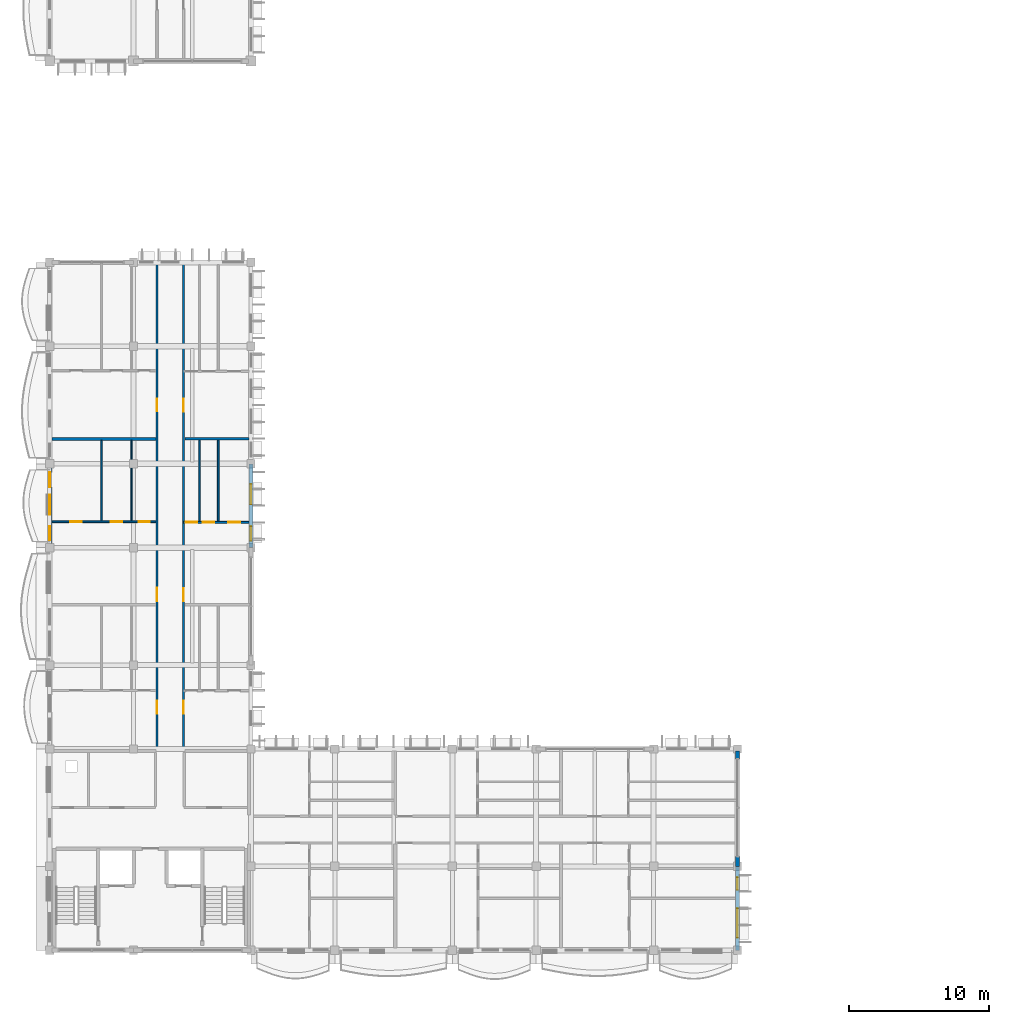
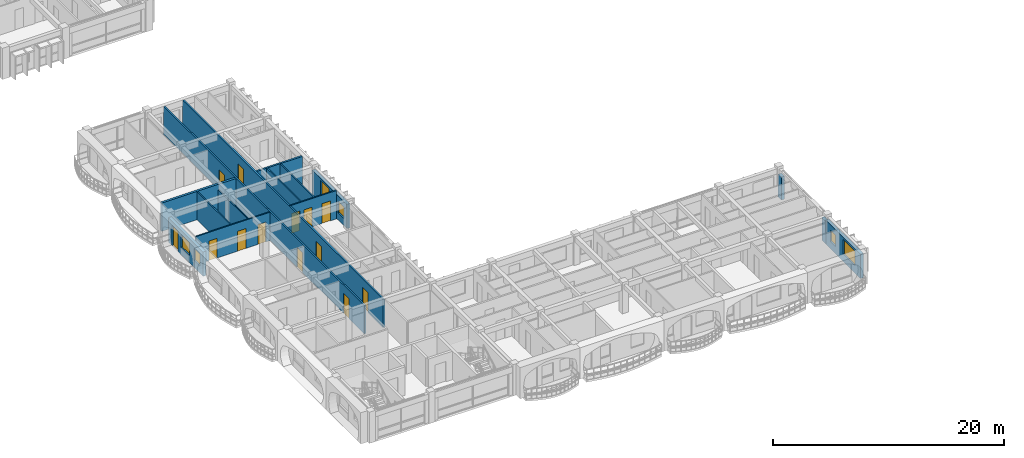
# One storey, part 27 of 76: 15 walls, 13 doors, 6 windows, 19 openings.
"""IFC4 building model written with IfcOpenShell, lengths in metres."""

from ifc_helpers import new_model, si_unit, direction, frame, frame_2d, origin, place, context, subcontext, project, spatial, rectangle, extrude, material, layer, layer_set, type_object, element, fill, save


model = new_model("IFC4")

# Units and contexts
model_context = context("Model", 3, precision=1e-05, world=origin(), true_north=direction((0.0, 1.0)))
body_context = subcontext(model_context, "Body", "Model", "MODEL_VIEW")
ifc_project = project(units=[si_unit("LENGTHUNIT", "METRE"), si_unit("AREAUNIT", "SQUARE_METRE"), si_unit("VOLUMEUNIT", "CUBIC_METRE"), si_unit("PLANEANGLEUNIT", "RADIAN"), si_unit("MASSUNIT", "GRAM", prefix="KILO"), si_unit("THERMODYNAMICTEMPERATUREUNIT", "KELVIN")], contexts=[model_context])

# Site, building, storey
site_placement = place(None, origin())
site = spatial("IfcSite", under=ifc_project, at=site_placement, CompositionType="ELEMENT")
building_placement = place(site_placement, origin())
building = spatial("IfcBuilding", under=site, at=building_placement, Name="Thalorik Housing Commons", CompositionType="ELEMENT")
storey_placement = place(building_placement, frame((0.0, 0.0, 18.0)))
storey = spatial("IfcBuildingStorey", under=building, at=storey_placement, Name="L05", CompositionType="ELEMENT", Elevation=18.0)

# Wall, openings, doors
ifc_material_1 = material(Name="Masonry fire-rated corridor wall", Category="masonry")
ifc_layer_1 = layer(ifc_material_1, 0.14990234375, Name="Masonry fire-rated corridor wall", Category="masonry")
ifc_layer_set_1 = layer_set([ifc_layer_1], Name="Masonry fire-rated corridor wall")
wall_type_1 = type_object("IfcWallType", Name="ARC-WAL-CORR-150", PredefinedType="PARTITIONING", material=ifc_layer_set_1)
wall_1_placement = place(storey_placement, frame((16.080078125, 22.659912109375, 0.0), z_axis=(0.0, 0.0, 1.0), x_axis=(0.0, 1.0, 0.0)))
wall_1 = element("IfcWall", 1, at=wall_1_placement, inside=storey, type_object=wall_type_1, Name="L05 Block C W Corridor Wall 1", PredefinedType="PARTITIONING", context=body_context, shape_type="SweptSolid", body=[
    extrude(rectangle(XDim=34.78564453125, YDim=0.14990234375, at=frame_2d((17.392822265625, 0.0))), origin(), (0.0, 0.0, 1.0), 3.0),
])
opening_1_placement = place(wall_1_placement, frame((2.671630859375, 0.0, 0.0)))
opening_1 = element("IfcOpeningElement", 2, at=opening_1_placement, cuts=wall_1, Name="Opening ID-1764", PredefinedType="OPENING", context=body_context, shape_type="SweptSolid", body=[
    extrude(rectangle(XDim=0.919921875, YDim=2.10009765625, at=frame_2d((0.4599609375, 1.050048828125))), frame((0.0, 0.0849609375, 0.0), z_axis=(0.0, -1.0, 0.0), x_axis=(1.0, 0.0, 0.0)), (0.0, 0.0, 1.0), 0.169921875),
])
opening_2_placement = place(wall_1_placement, frame((10.7099609375, 0.0, 0.0)))
opening_2 = element("IfcOpeningElement", 3, at=opening_2_placement, cuts=wall_1, Name="Opening ID-1765", PredefinedType="OPENING", context=body_context, shape_type="SweptSolid", body=[
    extrude(rectangle(XDim=0.9599609375, YDim=2.1201171875, at=frame_2d((0.47998046875, 1.06005859375))), frame((0.0, 0.0849609375, 0.0), z_axis=(0.0, -1.0, 0.0), x_axis=(1.0, 0.0, 0.0)), (0.0, 0.0, 1.0), 0.169921875),
])
opening_3_placement = place(wall_1_placement, frame((24.280029296875, 0.0, 0.0)))
opening_3 = element("IfcOpeningElement", 4, at=opening_3_placement, cuts=wall_1, Name="Opening ID-1766", PredefinedType="OPENING", context=body_context, shape_type="SweptSolid", body=[
    extrude(rectangle(XDim=0.919921875, YDim=2.10009765625, at=frame_2d((0.4599609375, 1.050048828125))), frame((0.0, 0.0849609375, 0.0), z_axis=(0.0, -1.0, 0.0), x_axis=(1.0, 0.0, 0.0)), (0.0, 0.0, 1.0), 0.169921875),
])
ifc_material_2 = material(Name="Solid core hardwood timber", Category="wood")
door_type_1 = type_object("IfcDoorType", Name="ARC-DR-FD30-920", OperationType="NOTDEFINED", PredefinedType="DOOR", material=ifc_material_2)
door_1_placement = place(opening_1_placement, origin())
door_1 = element("IfcDoor", 5, at=door_1_placement, inside=storey, type_object=door_type_1, Name="L05 Flat CW-1A Entrance Door", OperationType="SINGLE_SWING_LEFT", OverallHeight=2.10009765625, OverallWidth=0.919921875, PredefinedType="DOOR", context=body_context, shape_type="SweptSolid", body=[
    extrude(rectangle(XDim=0.919921875, YDim=2.10009765625, at=frame_2d((0.4599609375, 1.050048828125))), frame((0.0, 0.02490234375, 0.0), z_axis=(0.0, -1.0, 0.0), x_axis=(1.0, 0.0, 0.0)), (0.0, 0.0, 1.0), 0.050048828125),
])
fill(opening_1, door_1)
door_2_placement = place(opening_3_placement, origin())
door_2 = element("IfcDoor", 6, at=door_2_placement, inside=storey, type_object=door_type_1, Name="L05 Flat CW-3A Entrance Door", OperationType="SINGLE_SWING_LEFT", OverallHeight=2.10009765625, OverallWidth=0.919921875, PredefinedType="DOOR", context=body_context, shape_type="SweptSolid", body=[
    extrude(rectangle(XDim=0.919921875, YDim=2.10009765625, at=frame_2d((0.4599609375, 1.050048828125))), frame((0.0, 0.02490234375, 0.0), z_axis=(0.0, -1.0, 0.0), x_axis=(1.0, 0.0, 0.0)), (0.0, 0.0, 1.0), 0.050048828125),
])
fill(opening_3, door_2)
door_type_2 = type_object("IfcDoorType", Name="ARC-DR-FD30-960", OperationType="NOTDEFINED", PredefinedType="DOOR", material=ifc_material_2)
door_3_placement = place(opening_2_placement, origin())
door_3 = element("IfcDoor", 7, at=door_3_placement, inside=storey, type_object=door_type_2, Name="L05 Flat CW-2A Entrance Door", OperationType="SINGLE_SWING_RIGHT", OverallHeight=2.1201171875, OverallWidth=0.9599609375, PredefinedType="DOOR", context=body_context, shape_type="SweptSolid", body=[
    extrude(rectangle(XDim=0.9599609375, YDim=2.1201171875, at=frame_2d((0.47998046875, 1.06005859375))), frame((0.0, 0.02490234375, 0.0), z_axis=(0.0, -1.0, 0.0), x_axis=(1.0, 0.0, 0.0)), (0.0, 0.0, 1.0), 0.050048828125),
])
fill(opening_2, door_3)

ifc_layer_2 = layer(ifc_material_1, 0.1650390625, Name="Masonry fire-rated corridor wall", Category="masonry")
ifc_layer_set_2 = layer_set([ifc_layer_2], Name="Masonry fire-rated corridor wall")
wall_type_2 = type_object("IfcWallType", Name="ARC-WAL-CORR-165", PredefinedType="PARTITIONING", material=ifc_layer_set_2)
wall_2_placement = place(storey_placement, frame((17.97998046875, 22.659912109375, 0.0), z_axis=(0.0, 0.0, 1.0), x_axis=(0.0, 1.0, 0.0)))
wall_2 = element("IfcWall", 8, at=wall_2_placement, inside=storey, type_object=wall_type_2, Name="L05 Block C W Corridor Wall 2", PredefinedType="PARTITIONING", context=body_context, shape_type="SweptSolid", body=[
    extrude(rectangle(XDim=34.78564453125, YDim=0.1650390625, at=frame_2d((17.392822265625, 0.0))), origin(), (0.0, 0.0, 1.0), 3.0),
])
opening_4_placement = place(wall_2_placement, frame((2.663818359375, 0.0, 0.0)))
opening_4 = element("IfcOpeningElement", 9, at=opening_4_placement, cuts=wall_2, Name="Opening ID-1767", PredefinedType="OPENING", context=body_context, shape_type="SweptSolid", body=[
    extrude(rectangle(XDim=0.919921875, YDim=2.10009765625, at=frame_2d((0.4599609375, 1.050048828125))), frame((0.0, 0.092529296875, 0.0), z_axis=(0.0, -1.0, 0.0), x_axis=(1.0, 0.0, 0.0)), (0.0, 0.0, 1.0), 0.18505859375),
])
opening_5_placement = place(wall_2_placement, frame((10.7099609375, 0.0, 0.0)))
opening_5 = element("IfcOpeningElement", 10, at=opening_5_placement, cuts=wall_2, Name="Opening ID-1768", PredefinedType="OPENING", context=body_context, shape_type="SweptSolid", body=[
    extrude(rectangle(XDim=0.919921875, YDim=2.10009765625, at=frame_2d((0.4599609375, 1.050048828125))), frame((0.0, 0.092529296875, 0.0), z_axis=(0.0, -1.0, 0.0), x_axis=(1.0, 0.0, 0.0)), (0.0, 0.0, 1.0), 0.18505859375),
])
opening_6_placement = place(wall_2_placement, frame((24.25439453125, 0.0, 0.0)))
opening_6 = element("IfcOpeningElement", 11, at=opening_6_placement, cuts=wall_2, Name="Opening ID-1769", PredefinedType="OPENING", context=body_context, shape_type="SweptSolid", body=[
    extrude(rectangle(XDim=0.919921875, YDim=2.10009765625, at=frame_2d((0.4599609375, 1.050048828125))), frame((0.0, 0.092529296875, 0.0), z_axis=(0.0, -1.0, 0.0), x_axis=(1.0, 0.0, 0.0)), (0.0, 0.0, 1.0), 0.18505859375),
])
door_4_placement = place(opening_4_placement, origin())
door_4 = element("IfcDoor", 12, at=door_4_placement, inside=storey, type_object=door_type_1, Name="L05 Flat CW-1B Entrance Door", OperationType="SINGLE_SWING_RIGHT", OverallHeight=2.10009765625, OverallWidth=0.919921875, PredefinedType="DOOR", context=body_context, shape_type="SweptSolid", body=[
    extrude(rectangle(XDim=0.919921875, YDim=2.10009765625, at=frame_2d((0.4599609375, 1.050048828125))), frame((0.0, 0.02490234375, 0.0), z_axis=(0.0, -1.0, 0.0), x_axis=(1.0, 0.0, 0.0)), (0.0, 0.0, 1.0), 0.050048828125),
])
fill(opening_4, door_4)
door_5_placement = place(opening_5_placement, origin())
door_5 = element("IfcDoor", 13, at=door_5_placement, inside=storey, type_object=door_type_1, Name="L05 Flat CW-2B Entrance Door", OperationType="SINGLE_SWING_LEFT", OverallHeight=2.10009765625, OverallWidth=0.919921875, PredefinedType="DOOR", context=body_context, shape_type="SweptSolid", body=[
    extrude(rectangle(XDim=0.919921875, YDim=2.10009765625, at=frame_2d((0.4599609375, 1.050048828125))), frame((0.0, 0.02490234375, 0.0), z_axis=(0.0, -1.0, 0.0), x_axis=(1.0, 0.0, 0.0)), (0.0, 0.0, 1.0), 0.050048828125),
])
fill(opening_5, door_5)
door_6_placement = place(opening_6_placement, origin())
door_6 = element("IfcDoor", 14, at=door_6_placement, inside=storey, type_object=door_type_1, Name="L05 Flat CW-3B Entrance Door", OperationType="SINGLE_SWING_RIGHT", OverallHeight=2.10009765625, OverallWidth=0.919921875, PredefinedType="DOOR", context=body_context, shape_type="SweptSolid", body=[
    extrude(rectangle(XDim=0.919921875, YDim=2.10009765625, at=frame_2d((0.4599609375, 1.050048828125))), frame((0.0, 0.02490234375, 0.0), z_axis=(0.0, -1.0, 0.0), x_axis=(1.0, 0.0, 0.0)), (0.0, 0.0, 1.0), 0.050048828125),
])
fill(opening_6, door_6)

# Wall, openings, windows
ifc_material_3 = material(Name="White precast concrete C40/50", Category="concrete")
ifc_layer_3 = layer(ifc_material_3, 0.304931640625, Name="White precast concrete C40/50", Category="concrete")
ifc_layer_set_3 = layer_set([ifc_layer_3], Name="White precast concrete C40/50")
wall_type_3 = type_object("IfcWallType", Name="ARC-WAL-EXT-305", PredefinedType="STANDARD", material=ifc_layer_set_3)
wall_3_placement = place(storey_placement, frame((22.800048828125, 37.199951171875, 0.0), z_axis=(0.0, 0.0, 1.0), x_axis=(0.0, 1.0, 0.0)))
wall_3 = element("IfcWall", 15, at=wall_3_placement, inside=storey, type_object=wall_type_3, Name="L05 Exterior Wall WAL-EXT-L05-C-0963", PredefinedType="STANDARD", context=body_context, shape_type="SweptSolid", body=[
    extrude(rectangle(XDim=6.0, YDim=0.304931640625, at=frame_2d((3.0, 0.0))), origin(), (0.0, 0.0, 1.0), 2.574951171875),
])
opening_7_placement = place(wall_3_placement, frame((0.476318359375, 0.0, 0.780029296875)))
opening_7 = element("IfcOpeningElement", 16, at=opening_7_placement, cuts=wall_3, Name="Opening W-44", PredefinedType="OPENING", context=body_context, shape_type="SweptSolid", body=[
    extrude(rectangle(XDim=1.050048828125, YDim=1.199951171875, at=frame_2d((0.52490234375, 0.60009765625))), frame((0.0, 0.16259765625, 0.0), z_axis=(0.0, -1.0, 0.0), x_axis=(1.0, 0.0, 0.0)), (0.0, 0.0, 1.0), 0.324951171875),
])
opening_8_placement = place(wall_3_placement, frame((3.08642578125, 0.0, 0.780029296875)))
opening_8 = element("IfcOpeningElement", 17, at=opening_8_placement, cuts=wall_3, Name="Opening W-09", PredefinedType="OPENING", context=body_context, shape_type="SweptSolid", body=[
    extrude(rectangle(XDim=1.449951171875, YDim=1.60009765625, at=frame_2d((0.72509765625, 0.800048828125))), frame((0.0, 0.16259765625, 0.0), z_axis=(0.0, -1.0, 0.0), x_axis=(1.0, 0.0, 0.0)), (0.0, 0.0, 1.0), 0.324951171875),
])
ifc_material_4 = material(Name="Anodised aluminium and solar-control low-E glass", Category="aluminium")
window_type_1 = type_object("IfcWindowType", Name="ARC-WIN-09", PartitioningType="SINGLE_PANEL", PredefinedType="WINDOW", material=ifc_material_4)
window_1_placement = place(opening_8_placement, origin())
window_1 = element("IfcWindow", 18, at=window_1_placement, inside=storey, type_object=window_type_1, Name="L05 Facade Window 1781", OverallHeight=1.60009765625, OverallWidth=1.449951171875, PartitioningType="SINGLE_PANEL", PredefinedType="WINDOW", context=body_context, shape_type="SweptSolid", body=[
    extrude(rectangle(XDim=1.449951171875, YDim=1.60009765625, at=frame_2d((0.72509765625, 0.800048828125))), frame((0.0, 0.030029296875, 0.0), z_axis=(0.0, -1.0, 0.0), x_axis=(1.0, 0.0, 0.0)), (0.0, 0.0, 1.0), 0.06005859375),
])
fill(opening_8, window_1)
window_type_2 = type_object("IfcWindowType", Name="ARC-WIN-44", PartitioningType="SINGLE_PANEL", PredefinedType="WINDOW", material=ifc_material_4)
window_2_placement = place(opening_7_placement, origin())
window_2 = element("IfcWindow", 19, at=window_2_placement, inside=storey, type_object=window_type_2, Name="L05 Facade Window 1780", OverallHeight=1.199951171875, OverallWidth=1.050048828125, PartitioningType="SINGLE_PANEL", PredefinedType="WINDOW", context=body_context, shape_type="SweptSolid", body=[
    extrude(rectangle(XDim=1.050048828125, YDim=1.199951171875, at=frame_2d((0.52490234375, 0.60009765625))), frame((0.0, 0.030029296875, 0.0), z_axis=(0.0, -1.0, 0.0), x_axis=(1.0, 0.0, 0.0)), (0.0, 0.0, 1.0), 0.06005859375),
])
fill(opening_7, window_2)

# Wall, openings, door, windows
wall_4_placement = place(storey_placement, frame((8.39990234375, 43.199951171875, 0.0), z_axis=(0.0, 0.0, 1.0), x_axis=(0.0, -1.0, 0.0)))
wall_4 = element("IfcWall", 20, at=wall_4_placement, inside=storey, type_object=wall_type_3, Name="L05 Exterior Wall WAL-EXT-L05-C-0970", PredefinedType="STANDARD", context=body_context, shape_type="SweptSolid", body=[
    extrude(rectangle(XDim=6.0, YDim=0.304931640625, at=frame_2d((3.0, 0.0))), origin(), (0.0, 0.0, 1.0), 2.574951171875),
])
opening_9_placement = place(wall_4_placement, frame((0.6201171875, 0.0, 0.0)))
opening_9 = element("IfcOpeningElement", 21, at=opening_9_placement, cuts=wall_4, Name="Opening ED-0320", PredefinedType="OPENING", context=body_context, shape_type="SweptSolid", body=[
    extrude(rectangle(XDim=1.050048828125, YDim=2.14990234375, at=frame_2d((0.52490234375, 1.074951171875))), frame((0.0, 0.16259765625, 0.0), z_axis=(0.0, -1.0, 0.0), x_axis=(1.0, 0.0, 0.0)), (0.0, 0.0, 1.0), 0.324951171875),
])
opening_10_placement = place(wall_4_placement, frame((2.22509765625, 0.0, 0.780029296875)))
opening_10 = element("IfcOpeningElement", 22, at=opening_10_placement, cuts=wall_4, Name="Opening W-50", PredefinedType="OPENING", context=body_context, shape_type="SweptSolid", body=[
    extrude(rectangle(XDim=1.419921875, YDim=1.3798828125, at=frame_2d((0.7099609375, 0.68994140625))), frame((0.0, 0.16259765625, 0.0), z_axis=(0.0, -1.0, 0.0), x_axis=(1.0, 0.0, 0.0)), (0.0, 0.0, 1.0), 0.324951171875),
])
opening_11_placement = place(wall_4_placement, frame((4.47998046875, 0.0, 0.780029296875)))
opening_11 = element("IfcOpeningElement", 23, at=opening_11_placement, cuts=wall_4, Name="Opening W-02", PredefinedType="OPENING", context=body_context, shape_type="SweptSolid", body=[
    extrude(rectangle(XDim=1.0, YDim=1.25, at=frame_2d((0.5, 0.625))), frame((0.0, 0.16259765625, 0.0), z_axis=(0.0, -1.0, 0.0), x_axis=(1.0, 0.0, 0.0)), (0.0, 0.0, 1.0), 0.324951171875),
])
ifc_material_5 = material(Name="Anodised aluminium and laminated safety glass", Category="aluminium")
door_type_3 = type_object("IfcDoorType", Name="ARC-DR-BAL-1050", OperationType="NOTDEFINED", PredefinedType="DOOR", material=ifc_material_5)
door_7_placement = place(opening_9_placement, frame((1.050048828125, 0.0, 0.0), z_axis=(0.0, 0.0, 1.0), x_axis=(-1.0, 0.0, 0.0)))
door_7 = element("IfcDoor", 24, at=door_7_placement, inside=storey, type_object=door_type_3, Name="L05 Block C Balcony Glazed Door", OperationType="SINGLE_SWING_LEFT", OverallHeight=2.14990234375, OverallWidth=1.050048828125, PredefinedType="DOOR", context=body_context, shape_type="SweptSolid", body=[
    extrude(rectangle(XDim=1.050048828125, YDim=2.14990234375, at=frame_2d((0.52490234375, 1.074951171875))), frame((0.0, 0.02490234375, 0.0), z_axis=(0.0, -1.0, 0.0), x_axis=(1.0, 0.0, 0.0)), (0.0, 0.0, 1.0), 0.050048828125),
])
fill(opening_9, door_7)
window_type_3 = type_object("IfcWindowType", Name="ARC-WIN-02", PartitioningType="SINGLE_PANEL", PredefinedType="WINDOW", material=ifc_material_4)
window_3_placement = place(opening_11_placement, origin())
window_3 = element("IfcWindow", 25, at=window_3_placement, inside=storey, type_object=window_type_3, Name="L05 Facade Window 1796", OverallHeight=1.25, OverallWidth=1.0, PartitioningType="SINGLE_PANEL", PredefinedType="WINDOW", context=body_context, shape_type="SweptSolid", body=[
    extrude(rectangle(XDim=1.0, YDim=1.25, at=frame_2d((0.5, 0.625))), frame((0.0, 0.030029296875, 0.0), z_axis=(0.0, -1.0, 0.0), x_axis=(1.0, 0.0, 0.0)), (0.0, 0.0, 1.0), 0.06005859375),
])
fill(opening_11, window_3)
window_type_4 = type_object("IfcWindowType", Name="ARC-WIN-50", PartitioningType="SINGLE_PANEL", PredefinedType="WINDOW", material=ifc_material_4)
window_4_placement = place(opening_10_placement, origin())
window_4 = element("IfcWindow", 26, at=window_4_placement, inside=storey, type_object=window_type_4, Name="L05 Facade Window 1795", OverallHeight=1.3798828125, OverallWidth=1.419921875, PartitioningType="SINGLE_PANEL", PredefinedType="WINDOW", context=body_context, shape_type="SweptSolid", body=[
    extrude(rectangle(XDim=1.419921875, YDim=1.3798828125, at=frame_2d((0.7099609375, 0.68994140625))), frame((0.0, 0.030029296875, 0.0), z_axis=(0.0, -1.0, 0.0), x_axis=(1.0, 0.0, 0.0)), (0.0, 0.0, 1.0), 0.06005859375),
])
fill(opening_10, window_4)

# Wall, openings, windows
wall_5_placement = place(storey_placement, frame((57.60009765625, 8.39990234375, 0.0), z_axis=(0.0, 0.0, 1.0), x_axis=(0.0, 1.0, 0.0)))
wall_5 = element("IfcWall", 27, at=wall_5_placement, inside=storey, type_object=wall_type_3, Name="L05 Exterior Wall WAL-EXT-L05-C-0982", PredefinedType="STANDARD", context=body_context, shape_type="SweptSolid", body=[
    extrude(rectangle(XDim=6.0, YDim=0.304931640625, at=frame_2d((3.0, 0.0))), origin(), (0.0, 0.0, 1.0), 2.574951171875),
])
opening_12_placement = place(wall_5_placement, frame((0.90380859375, 0.0, 0.780029296875)))
opening_12 = element("IfcOpeningElement", 28, at=opening_12_placement, cuts=wall_5, Name="Opening W-26", PredefinedType="OPENING", context=body_context, shape_type="SweptSolid", body=[
    extrude(rectangle(XDim=2.10009765625, YDim=1.550048828125, at=frame_2d((1.050048828125, 0.77490234375))), frame((0.0, 0.16259765625, 0.0), z_axis=(0.0, -1.0, 0.0), x_axis=(1.0, 0.0, 0.0)), (0.0, 0.0, 1.0), 0.324951171875),
])
opening_13_placement = place(wall_5_placement, frame((4.313720703125, 0.0, 0.780029296875)))
opening_13 = element("IfcOpeningElement", 29, at=opening_13_placement, cuts=wall_5, Name="Opening W-01", PredefinedType="OPENING", context=body_context, shape_type="SweptSolid", body=[
    extrude(rectangle(XDim=0.89990234375, YDim=1.199951171875, at=frame_2d((0.449951171875, 0.60009765625))), frame((0.0, 0.16259765625, 0.0), z_axis=(0.0, -1.0, 0.0), x_axis=(1.0, 0.0, 0.0)), (0.0, 0.0, 1.0), 0.324951171875),
])
window_type_5 = type_object("IfcWindowType", Name="ARC-WIN-01", PartitioningType="SINGLE_PANEL", PredefinedType="WINDOW", material=ifc_material_4)
window_5_placement = place(opening_13_placement, origin())
window_5 = element("IfcWindow", 30, at=window_5_placement, inside=storey, type_object=window_type_5, Name="L05 Facade Window 1816", OverallHeight=1.199951171875, OverallWidth=0.89990234375, PartitioningType="SINGLE_PANEL", PredefinedType="WINDOW", context=body_context, shape_type="SweptSolid", body=[
    extrude(rectangle(XDim=0.89990234375, YDim=1.199951171875, at=frame_2d((0.449951171875, 0.60009765625))), frame((0.0, 0.030029296875, 0.0), z_axis=(0.0, -1.0, 0.0), x_axis=(1.0, 0.0, 0.0)), (0.0, 0.0, 1.0), 0.06005859375),
])
fill(opening_13, window_5)
window_type_6 = type_object("IfcWindowType", Name="ARC-WIN-26", PartitioningType="DOUBLE_PANEL_VERTICAL", PredefinedType="WINDOW", material=ifc_material_4)
window_6_placement = place(opening_12_placement, origin())
window_6 = element("IfcWindow", 31, at=window_6_placement, inside=storey, type_object=window_type_6, Name="L05 Facade Window 1815", OverallHeight=1.550048828125, OverallWidth=2.10009765625, PartitioningType="DOUBLE_PANEL_VERTICAL", PredefinedType="WINDOW", context=body_context, shape_type="SweptSolid", body=[
    extrude(rectangle(XDim=2.10009765625, YDim=1.550048828125, at=frame_2d((1.050048828125, 0.77490234375))), frame((0.0, 0.030029296875, 0.0), z_axis=(0.0, -1.0, 0.0), x_axis=(1.0, 0.0, 0.0)), (0.0, 0.0, 1.0), 0.06005859375),
])
fill(opening_12, window_6)

# Walls
wall_6_placement = place(storey_placement, frame((57.60009765625, 14.39990234375, 0.0), z_axis=(0.0, 0.0, 1.0), x_axis=(0.0, 1.0, 0.0)))
element("IfcWall", 32, at=wall_6_placement, inside=storey, type_object=wall_type_3, Name="L05 Exterior Wall WAL-PIERL-L05-C-0983", PredefinedType="STANDARD", context=body_context, shape_type="SweptSolid", body=[
    extrude(rectangle(XDim=0.7001953125, YDim=0.304931640625, at=frame_2d((0.35009765625, 0.0))), origin(), (0.0, 0.0, 1.0), 2.425048828125),
])
wall_7_placement = place(storey_placement, frame((57.60009765625, 22.10009765625, 0.0), z_axis=(0.0, 0.0, 1.0), x_axis=(0.0, 1.0, 0.0)))
element("IfcWall", 33, at=wall_7_placement, inside=storey, type_object=wall_type_3, Name="L05 Exterior Wall WAL-PIERR-L05-C-0983", PredefinedType="STANDARD", context=body_context, shape_type="SweptSolid", body=[
    extrude(rectangle(XDim=0.54541015625, YDim=0.304931640625, at=frame_2d((0.272705078125, 0.0))), origin(), (0.0, 0.0, 1.0), 2.425048828125),
])
ifc_material_6 = material(Name="Gypsum light stud partition", Category="masonry")
ifc_layer_4 = layer(ifc_material_6, 0.10009765625, Name="Gypsum light stud partition", Category="masonry")
ifc_layer_set_4 = layer_set([ifc_layer_4], Name="Gypsum light stud partition")
wall_type_4 = type_object("IfcWallType", Name="ARC-WAL-PART-100", PredefinedType="PARTITIONING", material=ifc_layer_set_4)
wall_8_placement = place(storey_placement, frame((14.251220703125, 39.114501953125, 0.0), z_axis=(0.0, 0.0, 1.0), x_axis=(0.0, 1.0, 0.0)))
element("IfcWall", 34, at=wall_8_placement, inside=storey, type_object=wall_type_4, Name="L05 Unit 2 Wet Wall", PredefinedType="PARTITIONING", context=body_context, shape_type="SweptSolid", body=[
    extrude(rectangle(XDim=5.75341796875, YDim=0.10009765625, at=frame_2d((2.876708984375, 0.0))), origin(), (0.0, 0.0, 1.0), 2.425048828125),
])
ifc_material_7 = material(Name="Gypsum moisture-resistant partition", Category="masonry")
ifc_layer_5 = layer(ifc_material_7, 0.114990234375, Name="Gypsum moisture-resistant partition", Category="masonry")
ifc_layer_set_5 = layer_set([ifc_layer_5], Name="Gypsum moisture-resistant partition")
wall_type_5 = type_object("IfcWallType", Name="ARC-WAL-PART-115", PredefinedType="PARTITIONING", material=ifc_layer_set_5)
wall_9_placement = place(storey_placement, frame((12.11767578125, 39.114501953125, 0.0), z_axis=(0.0, 0.0, 1.0), x_axis=(0.0, 1.0, 0.0)))
element("IfcWall", 35, at=wall_9_placement, inside=storey, type_object=wall_type_5, Name="L05 Unit 2 Bedroom Partition", PredefinedType="PARTITIONING", context=body_context, shape_type="SweptSolid", body=[
    extrude(rectangle(XDim=5.75341796875, YDim=0.114990234375, at=frame_2d((2.876708984375, 0.0))), origin(), (0.0, 0.0, 1.0), 3.0),
])
wall_10_placement = place(storey_placement, frame((19.122314453125, 39.084716796875, 0.0), z_axis=(0.0, 0.0, 1.0), x_axis=(0.0, 1.0, 0.0)))
element("IfcWall", 36, at=wall_10_placement, inside=storey, type_object=wall_type_5, Name="L05 Unit 2B Wet Wall", PredefinedType="PARTITIONING", context=body_context, shape_type="SweptSolid", body=[
    extrude(rectangle(XDim=5.80078125, YDim=0.114990234375, at=frame_2d((2.900390625, 0.0))), origin(), (0.0, 0.0, 1.0), 3.0),
])

# Wall, openings, doors
ifc_material_8 = material(Name="Gypsum acoustic stud partition", Category="masonry")
ifc_layer_6 = layer(ifc_material_8, 0.125, Name="Gypsum acoustic stud partition", Category="masonry")
ifc_layer_set_6 = layer_set([ifc_layer_6], Name="Gypsum acoustic stud partition")
wall_type_6 = type_object("IfcWallType", Name="ARC-WAL-PART-125", PredefinedType="PARTITIONING", material=ifc_layer_set_6)
wall_11_placement = place(storey_placement, frame((8.554443359375, 39.050048828125, 0.0), z_axis=(0.0, 0.0, 1.0), x_axis=(1.0, 0.0, 0.0)))
wall_11 = element("IfcWall", 37, at=wall_11_placement, inside=storey, type_object=wall_type_6, Name="L05 Unit 2 Spine Partition", PredefinedType="PARTITIONING", context=body_context, shape_type="SweptSolid", body=[
    extrude(rectangle(XDim=7.448486328125, YDim=0.125, at=frame_2d((3.72412109375, 0.0))), origin(), (0.0, 0.0, 1.0), 3.0),
])
opening_14_placement = place(wall_11_placement, frame((1.309326171875, 0.0, 0.0)))
opening_14 = element("IfcOpeningElement", 38, at=opening_14_placement, cuts=wall_11, Name="Opening ID-1752", PredefinedType="OPENING", context=body_context, shape_type="SweptSolid", body=[
    extrude(rectangle(XDim=0.820068359375, YDim=2.080078125, at=frame_2d((0.41015625, 1.0400390625))), frame((0.0, 0.072509765625, 0.0), z_axis=(0.0, -1.0, 0.0), x_axis=(1.0, 0.0, 0.0)), (0.0, 0.0, 1.0), 0.14501953125),
])
opening_15_placement = place(wall_11_placement, frame((4.204833984375, 0.0, 0.0)))
opening_15 = element("IfcOpeningElement", 39, at=opening_15_placement, cuts=wall_11, Name="Opening ID-1753", PredefinedType="OPENING", context=body_context, shape_type="SweptSolid", body=[
    extrude(rectangle(XDim=0.85009765625, YDim=2.10009765625, at=frame_2d((0.425048828125, 1.050048828125))), frame((0.0, 0.072509765625, 0.0), z_axis=(0.0, -1.0, 0.0), x_axis=(1.0, 0.0, 0.0)), (0.0, 0.0, 1.0), 0.14501953125),
])
opening_16_placement = place(wall_11_placement, frame((6.211181640625, 0.0, 0.0)))
opening_16 = element("IfcOpeningElement", 40, at=opening_16_placement, cuts=wall_11, Name="Opening ID-1754", PredefinedType="OPENING", context=body_context, shape_type="SweptSolid", body=[
    extrude(rectangle(XDim=0.800048828125, YDim=2.10009765625, at=frame_2d((0.39990234375, 1.050048828125))), frame((0.0, 0.072509765625, 0.0), z_axis=(0.0, -1.0, 0.0), x_axis=(1.0, 0.0, 0.0)), (0.0, 0.0, 1.0), 0.14501953125),
])
ifc_material_9 = material(Name="Moisture-resistant timber", Category="wood")
door_type_4 = type_object("IfcDoorType", Name="ARC-DR-INT-800", OperationType="NOTDEFINED", PredefinedType="DOOR", material=ifc_material_9)
door_8_placement = place(opening_16_placement, origin())
door_8 = element("IfcDoor", 41, at=door_8_placement, inside=storey, type_object=door_type_4, Name="L05 Flat Bathroom Door", OperationType="SINGLE_SWING_LEFT", OverallHeight=2.10009765625, OverallWidth=0.800048828125, PredefinedType="DOOR", context=body_context, shape_type="SweptSolid", body=[
    extrude(rectangle(XDim=0.800048828125, YDim=2.10009765625, at=frame_2d((0.39990234375, 1.050048828125))), frame((0.0, 0.02490234375, 0.0), z_axis=(0.0, -1.0, 0.0), x_axis=(1.0, 0.0, 0.0)), (0.0, 0.0, 1.0), 0.050048828125),
])
fill(opening_16, door_8)
ifc_material_10 = material(Name="Engineered oak timber", Category="wood")
door_type_5 = type_object("IfcDoorType", Name="ARC-DR-INT-820", OperationType="NOTDEFINED", PredefinedType="DOOR", material=ifc_material_10)
door_9_placement = place(opening_14_placement, origin())
door_9 = element("IfcDoor", 42, at=door_9_placement, inside=storey, type_object=door_type_5, Name="L05 Master Bedroom Door", OperationType="SINGLE_SWING_LEFT", OverallHeight=2.080078125, OverallWidth=0.820068359375, PredefinedType="DOOR", context=body_context, shape_type="SweptSolid", body=[
    extrude(rectangle(XDim=0.820068359375, YDim=2.080078125, at=frame_2d((0.41015625, 1.0400390625))), frame((0.0, 0.02490234375, 0.0), z_axis=(0.0, -1.0, 0.0), x_axis=(1.0, 0.0, 0.0)), (0.0, 0.0, 1.0), 0.050048828125),
])
fill(opening_14, door_9)
door_type_6 = type_object("IfcDoorType", Name="ARC-DR-INT-850", OperationType="NOTDEFINED", PredefinedType="DOOR", material=ifc_material_10)
door_10_placement = place(opening_15_placement, origin())
door_10 = element("IfcDoor", 43, at=door_10_placement, inside=storey, type_object=door_type_6, Name="L05 Galley Kitchen Door", OperationType="SINGLE_SWING_RIGHT", OverallHeight=2.10009765625, OverallWidth=0.85009765625, PredefinedType="DOOR", context=body_context, shape_type="SweptSolid", body=[
    extrude(rectangle(XDim=0.85009765625, YDim=2.10009765625, at=frame_2d((0.425048828125, 1.050048828125))), frame((0.0, 0.02490234375, 0.0), z_axis=(0.0, -1.0, 0.0), x_axis=(1.0, 0.0, 0.0)), (0.0, 0.0, 1.0), 0.050048828125),
])
fill(opening_15, door_10)

# Wall
wall_12_placement = place(storey_placement, frame((20.455078125, 39.084716796875, 0.0), z_axis=(0.0, 0.0, 1.0), x_axis=(0.0, 1.0, 0.0)))
element("IfcWall", 44, at=wall_12_placement, inside=storey, type_object=wall_type_6, Name="L05 Unit 2B Bedroom Partition", PredefinedType="PARTITIONING", context=body_context, shape_type="SweptSolid", body=[
    extrude(rectangle(XDim=5.80078125, YDim=0.125, at=frame_2d((2.900390625, 0.0))), origin(), (0.0, 0.0, 1.0), 3.0),
])

# Wall, openings, doors
ifc_material_11 = material(Name="Ceramic masonry partition wall", Category="masonry")
ifc_layer_7 = layer(ifc_material_11, 0.139892578125, Name="Ceramic masonry partition wall", Category="masonry")
ifc_layer_set_7 = layer_set([ifc_layer_7], Name="Ceramic masonry partition wall")
wall_type_7 = type_object("IfcWallType", Name="ARC-WAL-PART-140", PredefinedType="PARTITIONING", material=ifc_layer_set_7)
wall_13_placement = place(storey_placement, frame((17.97998046875, 39.0126953125, 0.0), z_axis=(0.0, 0.0, 1.0), x_axis=(1.0, 0.0, 0.0)))
wall_13 = element("IfcWall", 45, at=wall_13_placement, inside=storey, type_object=wall_type_7, Name="L05 Unit 2B Spine Partition", PredefinedType="PARTITIONING", context=body_context, shape_type="SweptSolid", body=[
    extrude(rectangle(XDim=4.66552734375, YDim=0.139892578125, at=frame_2d((2.332763671875, 0.0))), origin(), (0.0, 0.0, 1.0), 3.0),
])
opening_17_placement = place(wall_13_placement, frame((0.171142578125, 0.0, 0.0)))
opening_17 = element("IfcOpeningElement", 46, at=opening_17_placement, cuts=wall_13, Name="Opening ID-1755", PredefinedType="OPENING", context=body_context, shape_type="SweptSolid", body=[
    extrude(rectangle(XDim=0.800048828125, YDim=2.10009765625, at=frame_2d((0.39990234375, 1.050048828125))), frame((0.0, 0.080078125, 0.0), z_axis=(0.0, -1.0, 0.0), x_axis=(1.0, 0.0, 0.0)), (0.0, 0.0, 1.0), 0.159912109375),
])
opening_18_placement = place(wall_13_placement, frame((1.3837890625, 0.0, 0.0)))
opening_18 = element("IfcOpeningElement", 47, at=opening_18_placement, cuts=wall_13, Name="Opening ID-1756", PredefinedType="OPENING", context=body_context, shape_type="SweptSolid", body=[
    extrude(rectangle(XDim=0.820068359375, YDim=2.080078125, at=frame_2d((0.41015625, 1.0400390625))), frame((0.0, 0.080078125, 0.0), z_axis=(0.0, -1.0, 0.0), x_axis=(1.0, 0.0, 0.0)), (0.0, 0.0, 1.0), 0.159912109375),
])
opening_19_placement = place(wall_13_placement, frame((3.192626953125, 0.0, 0.0)))
opening_19 = element("IfcOpeningElement", 48, at=opening_19_placement, cuts=wall_13, Name="Opening ID-1757", PredefinedType="OPENING", context=body_context, shape_type="SweptSolid", body=[
    extrude(rectangle(XDim=0.85009765625, YDim=2.10009765625, at=frame_2d((0.425048828125, 1.050048828125))), frame((0.0, 0.080078125, 0.0), z_axis=(0.0, -1.0, 0.0), x_axis=(1.0, 0.0, 0.0)), (0.0, 0.0, 1.0), 0.159912109375),
])
door_11_placement = place(opening_17_placement, origin())
door_11 = element("IfcDoor", 49, at=door_11_placement, inside=storey, type_object=door_type_4, Name="L05 Accessible Bathroom Door", OperationType="SINGLE_SWING_RIGHT", OverallHeight=2.10009765625, OverallWidth=0.800048828125, PredefinedType="DOOR", context=body_context, shape_type="SweptSolid", body=[
    extrude(rectangle(XDim=0.800048828125, YDim=2.10009765625, at=frame_2d((0.39990234375, 1.050048828125))), frame((0.0, 0.02490234375, 0.0), z_axis=(0.0, -1.0, 0.0), x_axis=(1.0, 0.0, 0.0)), (0.0, 0.0, 1.0), 0.050048828125),
])
fill(opening_17, door_11)
door_12_placement = place(opening_18_placement, origin())
door_12 = element("IfcDoor", 50, at=door_12_placement, inside=storey, type_object=door_type_5, Name="L05 Eat-In Kitchen Door", OperationType="SINGLE_SWING_LEFT", OverallHeight=2.080078125, OverallWidth=0.820068359375, PredefinedType="DOOR", context=body_context, shape_type="SweptSolid", body=[
    extrude(rectangle(XDim=0.820068359375, YDim=2.080078125, at=frame_2d((0.41015625, 1.0400390625))), frame((0.0, 0.02490234375, 0.0), z_axis=(0.0, -1.0, 0.0), x_axis=(1.0, 0.0, 0.0)), (0.0, 0.0, 1.0), 0.050048828125),
])
fill(opening_18, door_12)
door_13_placement = place(opening_19_placement, origin())
door_13 = element("IfcDoor", 51, at=door_13_placement, inside=storey, type_object=door_type_6, Name="L05 Double Bedroom Door", OperationType="SINGLE_SWING_RIGHT", OverallHeight=2.10009765625, OverallWidth=0.85009765625, PredefinedType="DOOR", context=body_context, shape_type="SweptSolid", body=[
    extrude(rectangle(XDim=0.85009765625, YDim=2.10009765625, at=frame_2d((0.425048828125, 1.050048828125))), frame((0.0, 0.02490234375, 0.0), z_axis=(0.0, -1.0, 0.0), x_axis=(1.0, 0.0, 0.0)), (0.0, 0.0, 1.0), 0.050048828125),
])
fill(opening_19, door_13)

# Walls
ifc_material_12 = material(Name="Masonry acoustic blockwork wall", Category="masonry")
ifc_layer_8 = layer(ifc_material_12, 0.18505859375, Name="Masonry acoustic blockwork wall", Category="masonry")
ifc_layer_set_8 = layer_set([ifc_layer_8], Name="Masonry acoustic blockwork wall")
wall_type_8 = type_object("IfcWallType", Name="ARC-WAL-PARTY-185", PredefinedType="PARTITIONING", material=ifc_layer_set_8)
wall_14_placement = place(storey_placement, frame((18.064453125, 44.97998046875, 0.0), z_axis=(0.0, 0.0, 1.0), x_axis=(1.0, 0.0, 0.0)))
element("IfcWall", 52, at=wall_14_placement, inside=storey, type_object=wall_type_8, Name="L05 Inter-Tenancy Wall 2B", PredefinedType="PARTITIONING", context=body_context, shape_type="SweptSolid", body=[
    extrude(rectangle(XDim=4.5810546875, YDim=0.18505859375, at=frame_2d((2.29052734375, 0.0))), origin(), (0.0, 0.0, 1.0), 3.0),
])
ifc_material_13 = material(Name="Precast concrete C40/50 acoustic wall", Category="concrete")
ifc_layer_9 = layer(ifc_material_13, 0.219970703125, Name="Precast concrete C40/50 acoustic wall", Category="concrete")
ifc_layer_set_9 = layer_set([ifc_layer_9], Name="Precast concrete C40/50 acoustic wall")
wall_type_9 = type_object("IfcWallType", Name="ARC-WAL-PARTY-220", PredefinedType="PARTITIONING", material=ifc_layer_set_9)
wall_15_placement = place(storey_placement, frame((8.554443359375, 44.97998046875, 0.0), z_axis=(0.0, 0.0, 1.0), x_axis=(1.0, 0.0, 0.0)))
element("IfcWall", 53, at=wall_15_placement, inside=storey, type_object=wall_type_9, Name="L05 Inter-Tenancy Wall 2A", PredefinedType="PARTITIONING", context=body_context, shape_type="SweptSolid", body=[
    extrude(rectangle(XDim=7.448486328125, YDim=0.219970703125, at=frame_2d((3.72412109375, 0.0))), origin(), (0.0, 0.0, 1.0), 3.0),
])

save(model, "model.ifc")
